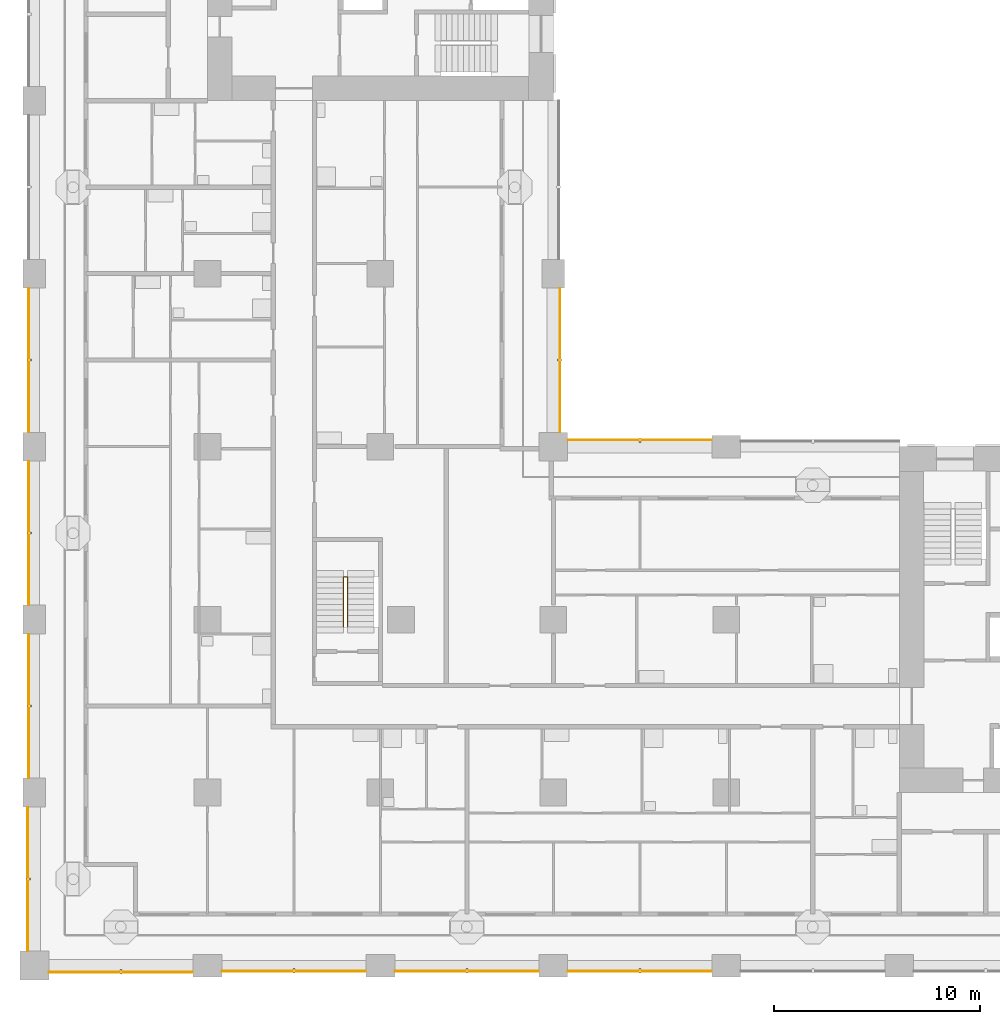
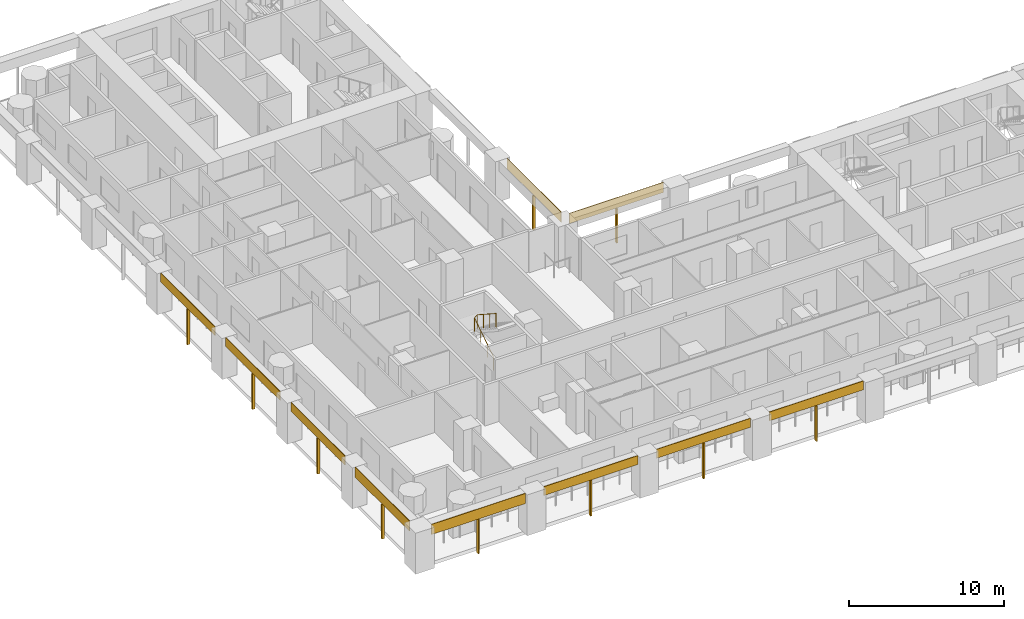
# One storey, part 10 of 19: 20 shading devices, 1 railing.
"""IFC4 building model written with IfcOpenShell, lengths in metres."""

from ifc_helpers import new_model, si_unit, direction, frame, origin, origin_2d, place, context, subcontext, project, spatial, rectangle, circle, extrude, material, layer, layer_set, material_profile, profile_set, type_object, element, save


model = new_model("IFC4")

# Units and contexts
model_context = context("Model", 3, precision=1e-05, world=origin(), true_north=direction((0.0, 1.0)))
body_context = subcontext(model_context, "Body", "Model", "MODEL_VIEW")
ifc_project = project(units=[si_unit("LENGTHUNIT", "METRE"), si_unit("AREAUNIT", "SQUARE_METRE"), si_unit("VOLUMEUNIT", "CUBIC_METRE"), si_unit("PLANEANGLEUNIT", "RADIAN"), si_unit("MASSUNIT", "GRAM", prefix="KILO")], contexts=[model_context])

# Site, building, storey
site_placement = place(None, origin())
site = spatial("IfcSite", under=ifc_project, at=site_placement, CompositionType="ELEMENT")
building_placement = place(site_placement, origin())
building = spatial("IfcBuilding", under=site, at=building_placement, Name="Vermilion Gate Residences", CompositionType="ELEMENT")
storey_placement = place(building_placement, frame((0.0, 0.0, 28.699951171875)))
storey = spatial("IfcBuildingStorey", under=building, at=storey_placement, Name="L05", CompositionType="ELEMENT", Elevation=28.699951171875)

# Shading devices
ifc_material_1 = material(Name="Perforated terracotta", Category="masonry")
ifc_layer = layer(ifc_material_1, 0.0400390625)
ifc_layer_set = layer_set([ifc_layer], Name="PERFORATED TERRACOTTA SCREEN 40")
shading_device_type_1 = type_object("IfcShadingDeviceType", Name="PERFORATED TERRACOTTA SCREEN 40", PredefinedType="SHUTTER", material=ifc_layer_set)
shading_device_1_placement = place(storey_placement, frame((4.199951171875, -0.320068359375, 2.419921875), z_axis=(0.0, 0.0, 1.0), x_axis=(1.0, 0.0, 0.0)))
element("IfcShadingDevice", 1, at=shading_device_1_placement, inside=storey, type_object=shading_device_type_1, Name="SCREEN", PredefinedType="SHUTTER", context=body_context, shape_type="SweptSolid", body=[
    extrude(rectangle(XDim=7.0, YDim=0.0400390625, at=origin_2d()), origin(), (0.0, 0.0, 1.0), 0.800048828125),
])
for number, where, z_axis, x_axis, name in (
    (2, (12.60009765625, -0.27001953125, 2.52001953125), (0.0, 0.0, 1.0), (1.0, 0.0, 0.0), "SCREEN"),
    (3, (21.0, -0.27001953125, 2.52001953125), (0.0, 0.0, 1.0), (1.0, 0.0, 0.0), "SCREEN"),
    (4, (29.39990234375, -0.27001953125, 2.52001953125), (0.0, 0.0, 1.0), (1.0, 0.0, 0.0), "SCREEN"),
):
    element("IfcShadingDevice", number, at=place(storey_placement, frame(where, z_axis=z_axis, x_axis=x_axis)), inside=storey, type_object=shading_device_type_1, Name=name, PredefinedType="SHUTTER", context=body_context, shape_type="SweptSolid", body=[
        extrude(rectangle(XDim=7.0, YDim=0.0400390625, at=origin_2d()), origin(), (0.0, 0.0, 1.0), 0.699951171875),
    ])
for number, where, z_axis, x_axis, name in (
    (5, (29.39990234375, 25.52001953125, 2.419921875), (0.0, 0.0, 1.0), (-1.0, 0.0, 0.0), "SCREEN"),
    (6, (25.52001953125, 29.39990234375, 2.419921875), (0.0, 0.0, 1.0), (0.0, 1.0, 0.0), "SCREEN"),
    (7, (-0.320068359375, 4.199951171875, 2.419921875), (0.0, 0.0, 1.0), (0.0, -1.0, 0.0), "SCREEN"),
):
    element("IfcShadingDevice", number, at=place(storey_placement, frame(where, z_axis=z_axis, x_axis=x_axis)), inside=storey, type_object=shading_device_type_1, Name=name, PredefinedType="SHUTTER", context=body_context, shape_type="SweptSolid", body=[
        extrude(rectangle(XDim=7.0, YDim=0.0400390625, at=origin_2d()), origin(), (0.0, 0.0, 1.0), 0.800048828125),
    ])
for number, where, z_axis, x_axis, name in (
    (8, (-0.27001953125, 12.60009765625, 2.52001953125), (0.0, 0.0, 1.0), (0.0, -1.0, 0.0), "SCREEN"),
    (9, (-0.27001953125, 21.0, 2.52001953125), (0.0, 0.0, 1.0), (0.0, -1.0, 0.0), "SCREEN"),
    (10, (-0.27001953125, 29.39990234375, 2.52001953125), (0.0, 0.0, 1.0), (0.0, -1.0, 0.0), "SCREEN"),
):
    element("IfcShadingDevice", number, at=place(storey_placement, frame(where, z_axis=z_axis, x_axis=x_axis)), inside=storey, type_object=shading_device_type_1, Name=name, PredefinedType="SHUTTER", context=body_context, shape_type="SweptSolid", body=[
        extrude(rectangle(XDim=7.0, YDim=0.0400390625, at=origin_2d()), origin(), (0.0, 0.0, 1.0), 0.699951171875),
    ])

# Railing
ifc_material_2 = material(Name="Steel S355", Category="steel")
railing_type = type_object("IfcRailingType", Name="STAIR GUARD 1100 STEEL", PredefinedType="GUARDRAIL", material=ifc_material_2)
railing_placement = place(storey_placement, frame((15.0, 16.449951171875, 0.175048828125)))
element("IfcRailing", 11, at=railing_placement, inside=storey, type_object=railing_type, Name="Stair well guard STC1-05", PredefinedType="GUARDRAIL", context=body_context, shape_type="SweptSolid", body=[
    extrude(circle(Radius=0.02392578125, at=origin_2d()), frame((0.0, 0.0, 1.076171875), z_axis=(0.0, 0.839153699163, 0.543894354798), x_axis=(-1.0, 0.0, 0.0)), (0.0, 0.0, 1.0), 2.895751953125),
    extrude(circle(Radius=0.02392578125, at=origin_2d()), frame((0.0, 2.429931640625, 2.65087890625), z_axis=(0.752405939678, 0.0, 0.658699705433), x_axis=(0.0, 1.0, 0.0)), (0.0, 0.0, 1.0), 0.265869140625),
    extrude(circle(Radius=0.02392578125, at=origin_2d()), frame((0.199951171875, 2.429931640625, 2.826171875), z_axis=(0.0, -0.839153699163, 0.543894354798), x_axis=(1.0, 0.0, 0.0)), (0.0, 0.0, 1.0), 2.895751953125),
    extrude(circle(Radius=0.02099609375, at=origin_2d()), origin(), (0.0, 0.0, 1.0), 1.052001953125),
    extrude(circle(Radius=0.02099609375, at=origin_2d()), frame((0.0, 0.81005859375, 0.52490234375)), (0.0, 0.0, 1.0), 1.052001953125),
    extrude(circle(Radius=0.02099609375, at=origin_2d()), frame((0.0, 1.619873046875, 1.050048828125)), (0.0, 0.0, 1.0), 1.052001953125),
    extrude(circle(Radius=0.02099609375, at=origin_2d()), frame((0.0, 2.429931640625, 1.574951171875)), (0.0, 0.0, 1.0), 1.052001953125),
    extrude(circle(Radius=0.02099609375, at=origin_2d()), frame((0.199951171875, 2.429931640625, 1.75)), (0.0, 0.0, 1.0), 1.052001953125),
    extrude(circle(Radius=0.02099609375, at=origin_2d()), frame((0.199951171875, 1.619873046875, 2.27490234375)), (0.0, 0.0, 1.0), 1.052001953125),
    extrude(circle(Radius=0.02099609375, at=origin_2d()), frame((0.199951171875, 0.81005859375, 2.800048828125)), (0.0, 0.0, 1.0), 1.052001953125),
    extrude(circle(Radius=0.02099609375, at=origin_2d()), frame((0.199951171875, 0.0, 3.324951171875)), (0.0, 0.0, 1.0), 1.052001953125),
])

# Shading devices
ifc_material_3 = material(Name="Extruded terracotta", Category="masonry")
ifc_material_profile = material_profile(ifc_material_3, rectangle(XDim=0.199951171875, YDim=0.10009765625, at=origin_2d()), Name="BAGUETTE 100 X 200")
ifc_profile_set = profile_set([ifc_material_profile], Name="Extruded terracotta")
shading_device_type_2 = type_object("IfcShadingDeviceType", Name="TERRACOTTA BAGUETTE 100 X 200", PredefinedType="JALOUSIE", material=ifc_profile_set)
shading_device_2_placement = place(storey_placement, frame((4.199951171875, -0.300048828125, -0.280029296875), z_axis=(0.0, 0.0, 1.0), x_axis=(0.0, 1.0, 0.0)))
element("IfcShadingDevice", 12, at=shading_device_2_placement, inside=storey, type_object=shading_device_type_2, Name="BAGUETTE", PredefinedType="JALOUSIE", context=body_context, shape_type="SweptSolid", body=[
    extrude(rectangle(XDim=0.199951171875, YDim=0.10009765625, at=origin_2d()), origin(), (0.0, 0.0, 1.0), 2.7001953125),
])
for number, where, z_axis, x_axis, name in (
    (13, (12.60009765625, -0.25, -0.280029296875), (0.0, 0.0, 1.0), (0.0, 1.0, 0.0), "BAGUETTE"),
    (14, (21.0, -0.25, -0.280029296875), (0.0, 0.0, 1.0), (0.0, 1.0, 0.0), "BAGUETTE"),
    (15, (29.39990234375, -0.25, -0.280029296875), (0.0, 0.0, 1.0), (0.0, 1.0, 0.0), "BAGUETTE"),
):
    element("IfcShadingDevice", number, at=place(storey_placement, frame(where, z_axis=z_axis, x_axis=x_axis)), inside=storey, type_object=shading_device_type_2, Name=name, PredefinedType="JALOUSIE", context=body_context, shape_type="SweptSolid", body=[
        extrude(rectangle(XDim=0.199951171875, YDim=0.10009765625, at=origin_2d()), origin(), (0.0, 0.0, 1.0), 2.800048828125),
    ])
for number, where, z_axis, x_axis, name in (
    (16, (29.39990234375, 25.5, -0.280029296875), (0.0, 0.0, 1.0), (0.0, -1.0, 0.0), "BAGUETTE"),
    (17, (25.5, 29.39990234375, -0.280029296875), (0.0, 0.0, 1.0), (-1.0, 0.0, 0.0), "BAGUETTE"),
    (18, (-0.300048828125, 4.199951171875, -0.280029296875), (0.0, 0.0, 1.0), (1.0, 0.0, 0.0), "BAGUETTE"),
):
    element("IfcShadingDevice", number, at=place(storey_placement, frame(where, z_axis=z_axis, x_axis=x_axis)), inside=storey, type_object=shading_device_type_2, Name=name, PredefinedType="JALOUSIE", context=body_context, shape_type="SweptSolid", body=[
        extrude(rectangle(XDim=0.199951171875, YDim=0.10009765625, at=origin_2d()), origin(), (0.0, 0.0, 1.0), 2.7001953125),
    ])
for number, where, z_axis, x_axis, name in (
    (19, (-0.25, 12.60009765625, -0.280029296875), (0.0, 0.0, 1.0), (1.0, 0.0, 0.0), "BAGUETTE"),
    (20, (-0.25, 21.0, -0.280029296875), (0.0, 0.0, 1.0), (1.0, 0.0, 0.0), "BAGUETTE"),
    (21, (-0.25, 29.39990234375, -0.280029296875), (0.0, 0.0, 1.0), (1.0, 0.0, 0.0), "BAGUETTE"),
):
    element("IfcShadingDevice", number, at=place(storey_placement, frame(where, z_axis=z_axis, x_axis=x_axis)), inside=storey, type_object=shading_device_type_2, Name=name, PredefinedType="JALOUSIE", context=body_context, shape_type="SweptSolid", body=[
        extrude(rectangle(XDim=0.199951171875, YDim=0.10009765625, at=origin_2d()), origin(), (0.0, 0.0, 1.0), 2.800048828125),
    ])

save(model, "model.ifc")
